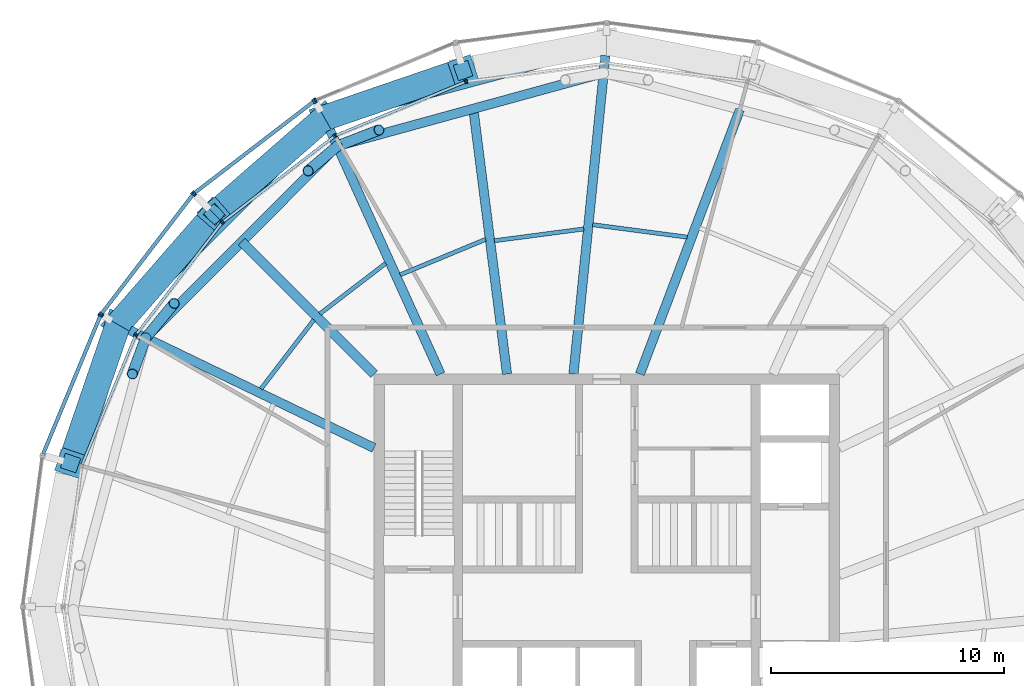
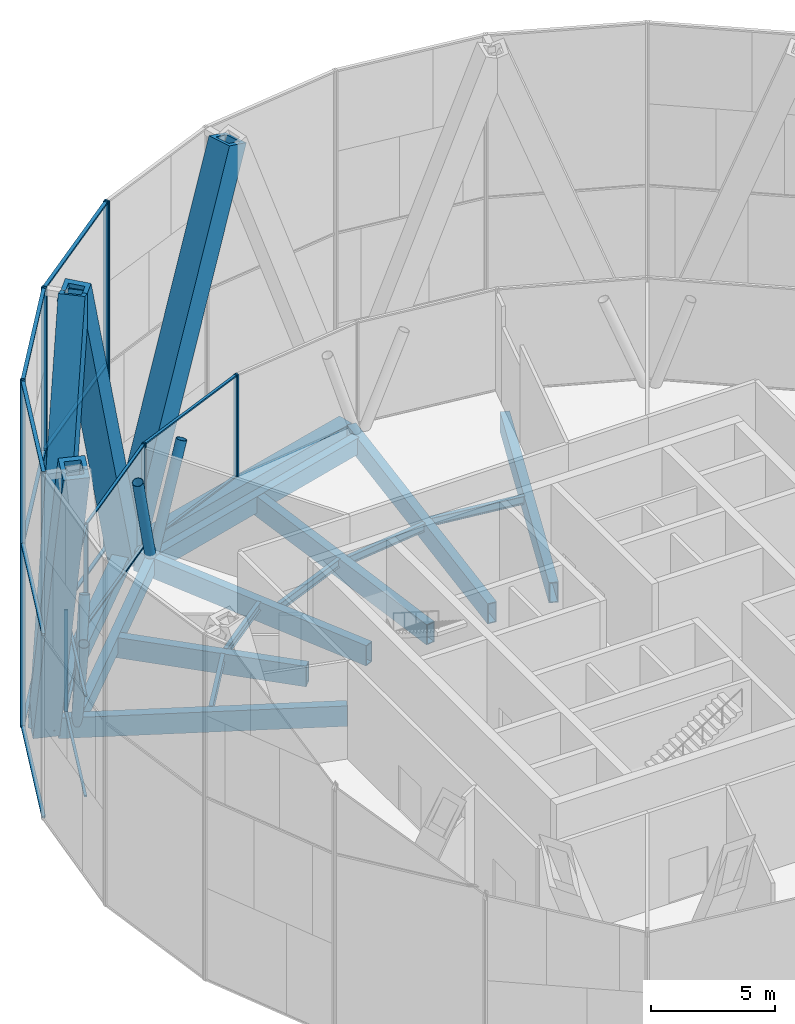
# One storey, part 6 of 15: 39 members, 15 beams, 9 elements without a shape of their own.
"""IFC4 building model written with IfcOpenShell, lengths in metres."""

import ifcopenshell
import ifcopenshell.guid

model = None  # the IFC model being written
_history = None  # IfcOwnerHistory: only IFC2X3 demands one
_inside = {}  # id of a spatial element -> (the spatial element, [elements in it])
_under = {}  # id of a project, library or spatial element -> (it, [spatial elements below it])
_declared = {}  # id of a project -> (the project, [libraries it declares])
_typed = {}  # id of a type object -> (the type object, [elements of that type])
_made_of = {}  # id of a material, layer set ... -> (it, [elements and type objects made of it])


def new_model(schema):
    """Start an empty IFC model of exactly this schema.

    Asked for "IFC4X3", IfcOpenShell would pick the latest addendum, in which some entities
    have other attributes; the version numbers below select the first issue.
    IFC2X3 requires an IfcOwnerHistory on every rooted entity: one is made here for all.
    """
    global model, _history
    if schema == "IFC4X3":
        model = ifcopenshell.file(schema_version=(4, 3, 0, 0))
    else:
        model = ifcopenshell.file(schema=schema)
    _inside.clear()
    _under.clear()
    _declared.clear()
    _typed.clear()
    _made_of.clear()
    _history = None
    if model.schema == "IFC2X3":
        org = make("IfcOrganization", Name="unknown")
        user = make(
            "IfcPersonAndOrganization",
            ThePerson=make("IfcPerson", FamilyName="unknown"),
            TheOrganization=org,
        )
        app = make(
            "IfcApplication",
            ApplicationDeveloper=org,
            Version="unknown",
            ApplicationFullName="unknown",
            ApplicationIdentifier="unknown",
        )
        _history = make(
            "IfcOwnerHistory",
            OwningUser=user,
            OwningApplication=app,
            ChangeAction="ADDED",
            CreationDate=0,
        )
    return model


def make(cls, **values):
    """One entity of the class cls with the attributes given. An attribute that is None is left unset."""
    return model.create_entity(
        cls, **{name: value for name, value in values.items() if value is not None}
    )


def rooted(cls, **values):
    """An entity with a GlobalId (a new one), such as an element, a storey or a relation."""
    return make(cls, GlobalId=ifcopenshell.guid.new(), OwnerHistory=_history, **values)


def si_unit(unit_type, name, prefix=None):
    """IfcSIUnit, for example si_unit("LENGTHUNIT", "METRE", prefix="MILLI")."""
    return make("IfcSIUnit", UnitType=unit_type, Prefix=prefix, Name=name)


def assignment(units):
    """IfcUnitAssignment: the units of a project."""
    return None if units is None else make("IfcUnitAssignment", Units=units)


def point(xyz):
    """IfcCartesianPoint."""
    return None if xyz is None else make("IfcCartesianPoint", Coordinates=xyz)


def direction(xyz):
    """IfcDirection."""
    return None if xyz is None else make("IfcDirection", DirectionRatios=xyz)


def frame(location, z_axis=None, x_axis=None):
    """IfcAxis2Placement3D, a coordinate frame: its origin and axes. An axis left out is left unset."""
    return make(
        "IfcAxis2Placement3D",
        Location=point(location),
        Axis=direction(z_axis),
        RefDirection=direction(x_axis),
    )


def frame_2d(location, x_axis=None):
    """IfcAxis2Placement2D, a coordinate frame in the plane: its origin and x axis."""
    return make(
        "IfcAxis2Placement2D", Location=point(location), RefDirection=direction(x_axis)
    )


def origin():
    """The frame at (0, 0, 0) with its axes left unset."""
    return frame((0.0, 0.0, 0.0))


def origin_2d():
    """The frame at (0, 0) in the plane with its x axis left unset."""
    return frame_2d((0.0, 0.0))


def place(relative_to, where):
    """IfcLocalPlacement: puts the frame where relative to a parent placement (None: the world)."""
    return make(
        "IfcLocalPlacement", PlacementRelTo=relative_to, RelativePlacement=where
    )


def context(
    kind, dimensions, precision=None, world=None, true_north=None, identifier=None
):
    """IfcGeometricRepresentationContext, for example the 3D "Model" context."""
    return make(
        "IfcGeometricRepresentationContext",
        ContextIdentifier=identifier,
        ContextType=kind,
        CoordinateSpaceDimension=dimensions,
        Precision=precision,
        WorldCoordinateSystem=world,
        TrueNorth=true_north,
    )


def subcontext(parent, identifier, kind, view, scale=None):
    """IfcGeometricRepresentationSubContext, for example "Body" below "Model"."""
    return make(
        "IfcGeometricRepresentationSubContext",
        ContextIdentifier=identifier,
        ContextType=kind,
        ParentContext=parent,
        TargetScale=scale,
        TargetView=view,
    )


def project(units=None, contexts=None):
    """IfcProject with its units and contexts."""
    return rooted(
        "IfcProject",
        Name="project",
        RepresentationContexts=contexts,
        UnitsInContext=assignment(units),
    )


def spatial(cls, under=None, at=None, **own):
    """A site, building, storey or space (cls), placed at a placement, below another one or the project."""
    s = rooted(cls, ObjectPlacement=at, **own)
    if under is not None:
        _under.setdefault(under.id(), (under, []))[1].append(s)
    return s


def profile(cls, at=None, kind="AREA", **sizes):
    """A parametric profile (cls). Its sizes go by their IFC names, for example OverallWidth=200.0."""
    return make(cls, ProfileType=kind, Position=at, **sizes)


def rectangle(**sizes):
    """IfcRectangleProfileDef."""
    return profile("IfcRectangleProfileDef", **sizes)


def hollow_rectangle(**sizes):
    """IfcRectangleHollowProfileDef."""
    return profile("IfcRectangleHollowProfileDef", **sizes)


def hollow_circle(**sizes):
    """IfcCircleHollowProfileDef."""
    return profile("IfcCircleHollowProfileDef", **sizes)


def i_section(**sizes):
    """IfcIShapeProfileDef."""
    return profile("IfcIShapeProfileDef", **sizes)


def extrude(swept, where, along, depth):
    """IfcExtrudedAreaSolid: the profile swept, set in the frame where, extruded along a direction by depth."""
    return make(
        "IfcExtrudedAreaSolid",
        SweptArea=swept,
        Position=where,
        ExtrudedDirection=direction(along),
        Depth=depth,
    )


def shape(context_of_items, identifier, shape_type, items):
    """IfcShapeRepresentation: the items that make up one representation, for example the "Body"."""
    return make(
        "IfcShapeRepresentation",
        ContextOfItems=context_of_items,
        RepresentationIdentifier=identifier,
        RepresentationType=shape_type,
        Items=items,
    )


def material(Name=None, Category=None):
    """IfcMaterial."""
    return make("IfcMaterial", Name=Name, Category=Category)


def material_profile(
    of_material, cross_section, Name=None, Category=None, Priority=None
):
    """IfcMaterialProfile: a cross section and its material."""
    return make(
        "IfcMaterialProfile",
        Name=Name,
        Material=of_material,
        Profile=cross_section,
        Priority=Priority,
        Category=Category,
    )


def profile_set(profiles, Name=None, composite=None):
    """IfcMaterialProfileSet."""
    return make(
        "IfcMaterialProfileSet",
        Name=Name,
        MaterialProfiles=profiles,
        CompositeProfile=composite,
    )


def made_of(thing, what):
    """Note that an element or type object is made of a material, layer set ...; save() writes the relation."""
    if what is not None:
        _made_of.setdefault(what.id(), (what, []))[1].append(thing)
    return thing


def type_object(cls, material=None, **own):
    """A type object (cls), such as IfcWallType, which elements share."""
    return made_of(rooted(cls, **own), material)


def element(
    cls,
    number,
    at=None,
    inside=None,
    cuts=None,
    type_object=None,
    material=None,
    context=None,
    identifier="Body",
    shape_type=None,
    held_by="IfcProductDefinitionShape",
    body=None,
    shapes=None,
    **own,
):
    """One element of the class cls, such as IfcWall. Its Tag is "e" and its number.

    at: its placement. inside: the storey or other place that contains it. cuts: it is an
    opening in that element (IfcRelVoidsElement). A single representation is given by context,
    identifier, shape_type and body (its items); several are given by shapes. held_by: the class
    of the entity that holds the representations. save() writes the other relations.
    """
    e = rooted(cls, Tag="e%d" % number, ObjectPlacement=at, **own)
    if body is not None:
        shapes = [shape(context, identifier, shape_type, body)]
    if shapes is not None:
        e.Representation = make(held_by, Representations=shapes)
    if inside is not None:
        _inside.setdefault(inside.id(), (inside, []))[1].append(e)
    if cuts is not None:
        rooted(
            "IfcRelVoidsElement", RelatingBuildingElement=cuts, RelatedOpeningElement=e
        )
    if type_object is not None:
        _typed.setdefault(type_object.id(), (type_object, []))[1].append(e)
    return made_of(e, material)


def aggregate(whole, parts):
    """IfcRelAggregates: a whole, such as a stair, and the parts it consists of."""
    return rooted("IfcRelAggregates", RelatingObject=whole, RelatedObjects=parts)


def save(model, path):
    """Write the relations noted so far, then the file.

    IfcRelAggregates (storeys below a building ...), IfcRelContainedInSpatialStructure (elements
    in a storey), IfcRelDefinesByType, IfcRelAssociatesMaterial and IfcRelDeclares: one each for
    every whole, place, type object, material and project.
    """
    for whole, parts in _under.values():
        aggregate(whole, parts)
    for where, things in _inside.values():
        rooted(
            "IfcRelContainedInSpatialStructure",
            RelatedElements=things,
            RelatingStructure=where,
        )
    for kind, things in _typed.values():
        rooted("IfcRelDefinesByType", RelatedObjects=things, RelatingType=kind)
    for what, things in _made_of.values():
        rooted("IfcRelAssociatesMaterial", RelatedObjects=things, RelatingMaterial=what)
    for by, libraries in _declared.values():
        rooted("IfcRelDeclares", RelatingContext=by, RelatedDefinitions=libraries)
    model.write(path)


model = new_model("IFC4")

# Units and contexts
model_context = context("Model", 3, precision=1e-05, world=origin(), true_north=direction((0.0, 1.0)))
body_context = subcontext(model_context, "Body", "Model", "MODEL_VIEW")
ifc_project = project(units=[si_unit("LENGTHUNIT", "METRE"), si_unit("AREAUNIT", "SQUARE_METRE"), si_unit("VOLUMEUNIT", "CUBIC_METRE"), si_unit("PLANEANGLEUNIT", "RADIAN"), si_unit("MASSUNIT", "GRAM", prefix="KILO")], contexts=[model_context])

# Site, building, storey
site_placement = place(None, origin())
site = spatial("IfcSite", under=ifc_project, at=site_placement, CompositionType="ELEMENT")
building_placement = place(site_placement, origin())
building = spatial("IfcBuilding", under=site, at=building_placement, Name="Golbaran Civic Tower", CompositionType="ELEMENT")
storey_placement = place(building_placement, frame((0.0, 0.0, 215.0)))
storey = spatial("IfcBuildingStorey", under=building, at=storey_placement, Name="L52", CompositionType="ELEMENT", Elevation=215.0)

# Members
ifc_material_1 = material(Name="Steel S355", Category="steel")
ifc_material_profile_1 = material_profile(ifc_material_1, hollow_circle(Radius=0.228515625, WallThickness=0.02001953125, at=origin_2d()), Name="CHS 457.0x20")
ifc_profile_set_1 = profile_set([ifc_material_profile_1], Name="Steel S355")
member_type_1 = type_object("IfcMemberType", Name="BELT TRUSS DIAGONAL CHS 457.0x20", PredefinedType="BRACE", material=ifc_profile_set_1)
member_1_placement = place(storey_placement, frame((-11.580322265625, 19.796875, -0.60009765625), z_axis=(-0.237997322439, -0.202374258001, 0.949948385024), x_axis=(0.647790633231, -0.76181841373, 0.0)))
element("IfcMember", 1, at=member_1_placement, inside=storey, type_object=member_type_1, Name="Belt truss diagonal 120.00R L52", PredefinedType="BRACE", context=body_context, shape_type="SweptSolid", body=[
    extrude(hollow_circle(Radius=0.228515625, WallThickness=0.02001953125, at=origin_2d()), origin(), (0.0, 0.0, 1.0), 5.263427734375),
])
member_2_placement = place(storey_placement, frame((-11.580322265625, 19.796875, -0.60009765625), z_axis=(0.334288189881, 0.128873955106, 0.933618182022), x_axis=(-0.359712247931, 0.933063287612, 0.0)))
element("IfcMember", 2, at=member_2_placement, inside=storey, type_object=member_type_1, Name="Belt truss diagonal 120.00L L52", PredefinedType="BRACE", context=body_context, shape_type="SweptSolid", body=[
    extrude(hollow_circle(Radius=0.228515625, WallThickness=0.02001953125, at=origin_2d()), origin(), (0.0, 0.0, 1.0), 5.35546875),
])
member_3_placement = place(storey_placement, frame((-19.81298828125, 11.552734375, -0.60009765625), z_axis=(-0.108443912345, -0.294361008754, 0.949521729294), x_axis=(0.938348163363, -0.345691660751, 0.0)))
element("IfcMember", 3, at=member_3_placement, inside=storey, type_object=member_type_1, Name="Belt truss diagonal 150.00R L52", PredefinedType="BRACE", context=body_context, shape_type="SweptSolid", body=[
    extrude(hollow_circle(Radius=0.228515625, WallThickness=0.02001953125, at=origin_2d()), origin(), (0.0, 0.0, 1.0), 5.265869140625),
])
member_4_placement = place(storey_placement, frame((-19.81298828125, 11.552734375, -0.60009765625), z_axis=(0.228116831888, 0.276885065679, 0.933433110305), x_axis=(-0.77180186456, 0.635863099938, 0.0)))
element("IfcMember", 4, at=member_4_placement, inside=storey, type_object=member_type_1, Name="Belt truss diagonal 150.00L L52", PredefinedType="BRACE", context=body_context, shape_type="SweptSolid", body=[
    extrude(hollow_circle(Radius=0.228515625, WallThickness=0.02001953125, at=origin_2d()), origin(), (0.0, 0.0, 1.0), 5.356689453125),
])
ifc_material_profile_2 = material_profile(ifc_material_1, hollow_rectangle(XDim=1.10009765625, YDim=1.10009765625, WallThickness=0.199951171875, at=origin_2d()), Name="BOX 1100x1100x200")
ifc_profile_set_2 = profile_set([ifc_material_profile_2], Name="Steel S355")
member_type_2 = type_object("IfcMemberType", Name="DIAGRID DIAGONAL BOX 1100x1100x200", PredefinedType="BRACE", material=ifc_profile_set_2)
for number, where, z_axis, x_axis, name in (
    (5, (-12.1279296875, 21.00634765625, -0.7099609375), (-0.261485476318, -0.228299784139, 0.937819041306), (0.657688403763, -0.753290092564, 0.0), "Diagonal D12-04R L52-L56"),
    (6, (-12.1279296875, 21.00634765625, -0.7099609375), (0.328449877464, 0.112311622101, 0.937820226661), (-0.323551479534, 0.94621056858, 0.0), "Diagonal D12-04L L52-L56"),
    (7, (-21.00634765625, 12.1279296875, -0.7099609375), (-0.112311622101, -0.328449877464, 0.937820226661), (0.94621056858, -0.323551479534, 0.0), "Diagonal D12-05R L52-L56"),
    (8, (-21.00634765625, 12.1279296875, -0.7099609375), (0.228299784139, 0.261485476318, 0.937819041306), (-0.753290092564, 0.657688403763, 0.0), "Diagonal D12-05L L52-L56"),
):
    element("IfcMember", number, at=place(storey_placement, frame(where, z_axis=z_axis, x_axis=x_axis)), inside=storey, type_object=member_type_2, Name=name, PredefinedType="BRACE", context=body_context, shape_type="SweptSolid", body=[
        extrude(hollow_rectangle(XDim=1.10009765625, YDim=1.10009765625, WallThickness=0.199951171875, at=origin_2d()), origin(), (0.0, 0.0, 1.0), 18.127197265625),
    ])

# Beams
ifc_material_profile_3 = material_profile(ifc_material_1, hollow_rectangle(XDim=0.699951171875, YDim=0.699951171875, WallThickness=0.080078125, at=origin_2d()), Name="BOX 700x700x80")
ifc_profile_set_3 = profile_set([ifc_material_profile_3], Name="Steel S355")
beam_type_1 = type_object("IfcBeamType", Name="DIAGRID RING TIE BOX 700x700x80", PredefinedType="BEAM", material=ifc_profile_set_3)
beam_1_placement = place(storey_placement, frame((0.0, 24.256103515625, -0.7099609375), z_axis=(-0.965924096113, -0.258825502121, 0.0), x_axis=(0.258825502121, -0.965924096113, 0.0)))
element("IfcBeam", 9, at=beam_1_placement, inside=storey, type_object=beam_type_1, Name="Ring tie 90.00 L52", PredefinedType="BEAM", context=body_context, shape_type="SweptSolid", body=[
    extrude(hollow_rectangle(XDim=0.699951171875, YDim=0.699951171875, WallThickness=0.080078125, at=origin_2d()), origin(), (0.0, 0.0, 1.0), 12.5556640625),
])
beam_2_placement = place(storey_placement, frame((-12.1279296875, 21.00634765625, -0.7099609375), z_axis=(-0.707106781187, -0.707106781187, 0.0), x_axis=(0.707106781187, -0.707106781187, 0.0)))
element("IfcBeam", 10, at=beam_2_placement, inside=storey, type_object=beam_type_1, Name="Ring tie 120.00 L52", PredefinedType="BEAM", context=body_context, shape_type="SweptSolid", body=[
    extrude(hollow_rectangle(XDim=0.699951171875, YDim=0.699951171875, WallThickness=0.080078125, at=origin_2d()), origin(), (0.0, 0.0, 1.0), 12.555908203125),
])
ifc_material_profile_4 = material_profile(ifc_material_1, hollow_rectangle(XDim=0.39990234375, YDim=0.800048828125, WallThickness=0.0400390625, at=origin_2d()), Name="BOX 800x400x40")
ifc_profile_set_4 = profile_set([ifc_material_profile_4], Name="Steel S355")
beam_type_2 = type_object("IfcBeamType", Name="EDGE BEAM BOX 800x400x40", PredefinedType="BEAM", material=ifc_profile_set_4)
beam_3_placement = place(storey_placement, frame((-0.318359375, 22.8837890625, -0.60009765625), z_axis=(-0.964430254718, -0.264337443023, 0.0), x_axis=(0.264337443023, -0.964430254718, 0.0)))
element("IfcBeam", 11, at=beam_3_placement, inside=storey, type_object=beam_type_2, Name="Edge beam 90.00 L52", PredefinedType="BEAM", context=body_context, shape_type="SweptSolid", body=[
    extrude(hollow_rectangle(XDim=0.39990234375, YDim=0.800048828125, WallThickness=0.0400390625, at=origin_2d()), origin(), (0.0, 0.0, 1.0), 11.4951171875),
])
beam_4_placement = place(storey_placement, frame((-11.716064453125, 19.660888671875, -0.60009765625), z_axis=(-0.706608276998, -0.707604934182, 0.0), x_axis=(0.707604934182, -0.706608276998, 0.0)))
element("IfcBeam", 12, at=beam_4_placement, inside=storey, type_object=beam_type_2, Name="Edge beam 120.00 L52", PredefinedType="BEAM", context=body_context, shape_type="SweptSolid", body=[
    extrude(hollow_rectangle(XDim=0.39990234375, YDim=0.800048828125, WallThickness=0.0400390625, at=origin_2d()), origin(), (0.0, 0.0, 1.0), 11.26806640625),
])
ifc_material_profile_5 = material_profile(ifc_material_1, i_section(OverallWidth=0.179931640625, OverallDepth=0.39990234375, WebThickness=0.008544921875, FlangeThickness=0.013427734375, FilletRadius=0.02099609375, at=origin_2d()), Name="IPE 400")
ifc_profile_set_5 = profile_set([ifc_material_profile_5], Name="Steel S355")
beam_type_3 = type_object("IfcBeamType", Name="FLOOR INFILL BEAM IPE 400", PredefinedType="BEAM", material=ifc_profile_set_5)
beam_5_placement = place(storey_placement, frame((3.459716796875, 15.88232421875, -0.39990234375), z_axis=(-0.991441925655, 0.13054848928, 0.0), x_axis=(-0.13054848928, -0.991441925655, 0.0)))
element("IfcBeam", 13, at=beam_5_placement, inside=storey, type_object=beam_type_3, Name="Infill beam 82.50 L52", PredefinedType="BEAM", context=body_context, shape_type="SweptSolid", body=[
    extrude(i_section(OverallWidth=0.179931640625, OverallDepth=0.39990234375, WebThickness=0.008544921875, FlangeThickness=0.013427734375, FilletRadius=0.02099609375, at=origin_2d()), origin(), (0.0, 0.0, 1.0), 4.099365234375),
])
beam_6_placement = place(storey_placement, frame((-0.984619140625, 16.234619140625, -0.39990234375), z_axis=(-0.991442514093, -0.130544020353, 0.0), x_axis=(0.130544020353, -0.991442514093, 0.0)))
element("IfcBeam", 14, at=beam_6_placement, inside=storey, type_object=beam_type_3, Name="Infill beam 97.50 L52", PredefinedType="BEAM", context=body_context, shape_type="SweptSolid", body=[
    extrude(i_section(OverallWidth=0.179931640625, OverallDepth=0.39990234375, WebThickness=0.008544921875, FlangeThickness=0.013427734375, FilletRadius=0.02099609375, at=origin_2d()), origin(), (0.0, 0.0, 1.0), 3.880615234375),
])
beam_7_placement = place(storey_placement, frame((-5.202392578125, 15.787109375, -0.39990234375), z_axis=(-0.923886657851, -0.382666229821, 0.0), x_axis=(0.382666229821, -0.923886657851, 0.0)))
element("IfcBeam", 15, at=beam_7_placement, inside=storey, type_object=beam_type_3, Name="Infill beam 112.50 L52", PredefinedType="BEAM", context=body_context, shape_type="SweptSolid", body=[
    extrude(i_section(OverallWidth=0.179931640625, OverallDepth=0.39990234375, WebThickness=0.008544921875, FlangeThickness=0.013427734375, FilletRadius=0.02099609375, at=origin_2d()), origin(), (0.0, 0.0, 1.0), 3.977294921875),
])
beam_8_placement = place(storey_placement, frame((-9.496337890625, 14.759521484375, -0.39990234375), z_axis=(-0.79335768671, -0.608755764604, 0.0), x_axis=(0.608755764604, -0.79335768671, 0.0)))
element("IfcBeam", 16, at=beam_8_placement, inside=storey, type_object=beam_type_3, Name="Infill beam 127.50 L52", PredefinedType="BEAM", context=body_context, shape_type="SweptSolid", body=[
    extrude(i_section(OverallWidth=0.179931640625, OverallDepth=0.39990234375, WebThickness=0.008544921875, FlangeThickness=0.013427734375, FilletRadius=0.02099609375, at=origin_2d()), origin(), (0.0, 0.0, 1.0), 3.572021484375),
])
beam_9_placement = place(storey_placement, frame((-12.58349609375, 12.328857421875, -0.39990234375), z_axis=(-0.608753770436, -0.793359216862, 0.0), x_axis=(0.793359216862, -0.608753770436, 0.0)))
element("IfcBeam", 17, at=beam_9_placement, inside=storey, type_object=beam_type_3, Name="Infill beam 142.50 L52", PredefinedType="BEAM", context=body_context, shape_type="SweptSolid", body=[
    extrude(i_section(OverallWidth=0.179931640625, OverallDepth=0.39990234375, WebThickness=0.008544921875, FlangeThickness=0.013427734375, FilletRadius=0.02099609375, at=origin_2d()), origin(), (0.0, 0.0, 1.0), 3.7373046875),
])

# Curtain wall, member
ifc_material_2 = material(Name="Aluminium and glass", Category="aluminium")
curtain_wall_type_1 = type_object("IfcCurtainWallType", Name="OUTER SKIN TERRACOTTA SCREEN", PredefinedType="NOTDEFINED", material=ifc_material_2)
curtain_wall_1_placement = place(storey_placement, origin())
curtain_wall_1 = element("IfcCurtainWall", 18, at=curtain_wall_1_placement, inside=storey, type_object=curtain_wall_type_1, Name="Outer skin L52 facet 8 CW3", ObjectType="OUTER SKIN", PredefinedType="USERDEFINED")
ifc_material_3 = material(Name="Aluminium", Category="aluminium")
ifc_material_profile_6 = material_profile(ifc_material_3, rectangle(XDim=0.219970703125, YDim=0.080078125, at=origin_2d()), Name="OUTER SKIN TERRACOTTA SCREEN MULLION")
ifc_profile_set_6 = profile_set([ifc_material_profile_6], Name="Aluminium")
member_type_3 = type_object("IfcMemberType", Name="OUTER SKIN TERRACOTTA SCREEN MULLION", PredefinedType="MULLION", material=ifc_profile_set_6)
member_5_placement = place(storey_placement, frame((-12.51611328125, 21.7578125, -0.7099609375), z_axis=(0.0, 0.0, 1.0), x_axis=(0.38268343243, -0.923879532485, 0.0)))
member_5 = element("IfcMember", 19, at=member_5_placement, type_object=member_type_3, Name="CW3 mullion 2", PredefinedType="MULLION", context=body_context, shape_type="SweptSolid", body=[
    extrude(rectangle(XDim=0.219970703125, YDim=0.080078125, at=origin_2d()), origin(), (0.0, 0.0, 1.0), 17.0),
])
aggregate(curtain_wall_1, [member_5])

# Curtain wall, members
curtain_wall_2_placement = place(storey_placement, origin())
curtain_wall_2 = element("IfcCurtainWall", 20, at=curtain_wall_2_placement, inside=storey, type_object=curtain_wall_type_1, Name="Outer skin L52 facet 9 CW3", ObjectType="OUTER SKIN", PredefinedType="USERDEFINED")
member_6_placement = place(storey_placement, frame((-12.584716796875, 21.718017578125, -0.7099609375), z_axis=(0.0, 0.0, 1.0), x_axis=(0.60876142905, -0.793353340259, 0.0)))
member_6 = element("IfcMember", 21, at=member_6_placement, type_object=member_type_3, Name="CW3 mullion 1", PredefinedType="MULLION", context=body_context, shape_type="SweptSolid", body=[
    extrude(rectangle(XDim=0.219970703125, YDim=0.080078125, at=origin_2d()), origin(), (0.0, 0.0, 1.0), 17.0),
])
member_7_placement = place(storey_placement, frame((-17.720947265625, 17.77685546875, -0.7099609375), z_axis=(0.0, 0.0, 1.0), x_axis=(0.60876142905, -0.793353340259, 0.0)))
member_7 = element("IfcMember", 22, at=member_7_placement, type_object=member_type_3, Name="CW3 mullion 2", PredefinedType="MULLION", context=body_context, shape_type="SweptSolid", body=[
    extrude(rectangle(XDim=0.219970703125, YDim=0.080078125, at=origin_2d()), origin(), (0.0, 0.0, 1.0), 17.0),
])

curtain_wall_3_placement = place(storey_placement, origin())
curtain_wall_3 = element("IfcCurtainWall", 23, at=curtain_wall_3_placement, inside=storey, type_object=curtain_wall_type_1, Name="Outer skin L52 facet 10 CW3", ObjectType="OUTER SKIN", PredefinedType="USERDEFINED")
member_8_placement = place(storey_placement, frame((-17.77685546875, 17.720947265625, -0.7099609375), z_axis=(0.0, 0.0, 1.0), x_axis=(0.793353340259, -0.60876142905, 0.0)))
member_8 = element("IfcMember", 24, at=member_8_placement, type_object=member_type_3, Name="CW3 mullion 1", PredefinedType="MULLION", context=body_context, shape_type="SweptSolid", body=[
    extrude(rectangle(XDim=0.219970703125, YDim=0.080078125, at=origin_2d()), origin(), (0.0, 0.0, 1.0), 17.0),
])
member_9_placement = place(storey_placement, frame((-21.718017578125, 12.584716796875, -0.7099609375), z_axis=(0.0, 0.0, 1.0), x_axis=(0.793353340259, -0.60876142905, 0.0)))
member_9 = element("IfcMember", 25, at=member_9_placement, type_object=member_type_3, Name="CW3 mullion 2", PredefinedType="MULLION", context=body_context, shape_type="SweptSolid", body=[
    extrude(rectangle(XDim=0.219970703125, YDim=0.080078125, at=origin_2d()), origin(), (0.0, 0.0, 1.0), 17.0),
])

# Curtain wall, member
curtain_wall_4_placement = place(storey_placement, origin())
curtain_wall_4 = element("IfcCurtainWall", 26, at=curtain_wall_4_placement, inside=storey, type_object=curtain_wall_type_1, Name="Outer skin L52 facet 11 CW3", ObjectType="OUTER SKIN", PredefinedType="USERDEFINED")
member_10_placement = place(storey_placement, frame((-21.7578125, 12.51611328125, -0.7099609375), z_axis=(0.0, 0.0, 1.0), x_axis=(0.923879532485, -0.38268343243, 0.0)))
member_10 = element("IfcMember", 27, at=member_10_placement, type_object=member_type_3, Name="CW3 mullion 1", PredefinedType="MULLION", context=body_context, shape_type="SweptSolid", body=[
    extrude(rectangle(XDim=0.219970703125, YDim=0.080078125, at=origin_2d()), origin(), (0.0, 0.0, 1.0), 17.0),
])

# Member
ifc_material_profile_7 = material_profile(ifc_material_3, rectangle(XDim=0.159912109375, YDim=0.080078125, at=origin_2d()), Name="OUTER SKIN TERRACOTTA SCREEN TRANSOM")
ifc_profile_set_7 = profile_set([ifc_material_profile_7], Name="Aluminium")
member_type_4 = type_object("IfcMemberType", Name="OUTER SKIN TERRACOTTA SCREEN TRANSOM", PredefinedType="USERDEFINED", material=ifc_profile_set_7)
member_11_placement = place(storey_placement, frame((-12.616455078125, 21.69384765625, -0.669921875), z_axis=(-0.793344491665, -0.608772960589, 0.0), x_axis=(0.608772960589, -0.793344491665, 0.0)))
member_11 = element("IfcMember", 28, at=member_11_placement, type_object=member_type_4, Name="CW3 transom 1.1", ObjectType="TRANSOM", PredefinedType="USERDEFINED", context=body_context, shape_type="SweptSolid", body=[
    extrude(rectangle(XDim=0.159912109375, YDim=0.080078125, at=origin_2d()), origin(), (0.0, 0.0, 1.0), 6.39404296875),
])

member_12_placement = place(storey_placement, frame((-12.616455078125, 21.69384765625, 8.2900390625), z_axis=(-0.793344491665, -0.608772960589, 0.0), x_axis=(0.608772960589, -0.793344491665, 0.0)))
member_12 = element("IfcMember", 29, at=member_12_placement, type_object=member_type_4, Name="CW3 transom 1.2", ObjectType="TRANSOM", PredefinedType="USERDEFINED", context=body_context, shape_type="SweptSolid", body=[
    extrude(rectangle(XDim=0.159912109375, YDim=0.080078125, at=origin_2d()), origin(), (0.0, 0.0, 1.0), 6.39404296875),
])

member_13_placement = place(storey_placement, frame((-12.616455078125, 21.69384765625, 16.25), z_axis=(-0.793344491665, -0.608772960589, 0.0), x_axis=(0.608772960589, -0.793344491665, 0.0)))
member_13 = element("IfcMember", 30, at=member_13_placement, type_object=member_type_4, Name="CW3 transom 1.3", ObjectType="TRANSOM", PredefinedType="USERDEFINED", context=body_context, shape_type="SweptSolid", body=[
    extrude(rectangle(XDim=0.159912109375, YDim=0.080078125, at=origin_2d()), origin(), (0.0, 0.0, 1.0), 6.39404296875),
])

aggregate(curtain_wall_2, [member_6, member_7, member_11, member_12, member_13])

member_14_placement = place(storey_placement, frame((-17.80126953125, 17.689208984375, -0.669921875), z_axis=(-0.608772960589, -0.793344491665, 0.0), x_axis=(0.793344491665, -0.608772960589, 0.0)))
member_14 = element("IfcMember", 31, at=member_14_placement, type_object=member_type_4, Name="CW3 transom 1.1", ObjectType="TRANSOM", PredefinedType="USERDEFINED", context=body_context, shape_type="SweptSolid", body=[
    extrude(rectangle(XDim=0.159912109375, YDim=0.080078125, at=origin_2d()), origin(), (0.0, 0.0, 1.0), 6.39404296875),
])

member_15_placement = place(storey_placement, frame((-17.80126953125, 17.689208984375, 8.2900390625), z_axis=(-0.608772960589, -0.793344491665, 0.0), x_axis=(0.793344491665, -0.608772960589, 0.0)))
member_15 = element("IfcMember", 32, at=member_15_placement, type_object=member_type_4, Name="CW3 transom 1.2", ObjectType="TRANSOM", PredefinedType="USERDEFINED", context=body_context, shape_type="SweptSolid", body=[
    extrude(rectangle(XDim=0.159912109375, YDim=0.080078125, at=origin_2d()), origin(), (0.0, 0.0, 1.0), 6.39404296875),
])

member_16_placement = place(storey_placement, frame((-17.80126953125, 17.689208984375, 16.25), z_axis=(-0.608772960589, -0.793344491665, 0.0), x_axis=(0.793344491665, -0.608772960589, 0.0)))
member_16 = element("IfcMember", 33, at=member_16_placement, type_object=member_type_4, Name="CW3 transom 1.3", ObjectType="TRANSOM", PredefinedType="USERDEFINED", context=body_context, shape_type="SweptSolid", body=[
    extrude(rectangle(XDim=0.159912109375, YDim=0.080078125, at=origin_2d()), origin(), (0.0, 0.0, 1.0), 6.39404296875),
])

aggregate(curtain_wall_3, [member_8, member_9, member_14, member_15, member_16])

member_17_placement = place(storey_placement, frame((-21.77294921875, 12.47900390625, -0.669921875), z_axis=(-0.382705875896, -0.923870235777, 0.0), x_axis=(0.923870235777, -0.382705875896, 0.0)))
member_17 = element("IfcMember", 34, at=member_17_placement, type_object=member_type_4, Name="CW3 transom 1.1", ObjectType="TRANSOM", PredefinedType="USERDEFINED", context=body_context, shape_type="SweptSolid", body=[
    extrude(rectangle(XDim=0.159912109375, YDim=0.080078125, at=origin_2d()), origin(), (0.0, 0.0, 1.0), 6.39404296875),
])

member_18_placement = place(storey_placement, frame((-21.77294921875, 12.47900390625, 8.2900390625), z_axis=(-0.382705875896, -0.923870235777, 0.0), x_axis=(0.923870235777, -0.382705875896, 0.0)))
member_18 = element("IfcMember", 35, at=member_18_placement, type_object=member_type_4, Name="CW3 transom 1.2", ObjectType="TRANSOM", PredefinedType="USERDEFINED", context=body_context, shape_type="SweptSolid", body=[
    extrude(rectangle(XDim=0.159912109375, YDim=0.080078125, at=origin_2d()), origin(), (0.0, 0.0, 1.0), 6.39404296875),
])

member_19_placement = place(storey_placement, frame((-21.77294921875, 12.47900390625, 16.25), z_axis=(-0.382705875896, -0.923870235777, 0.0), x_axis=(0.923870235777, -0.382705875896, 0.0)))
member_19 = element("IfcMember", 36, at=member_19_placement, type_object=member_type_4, Name="CW3 transom 1.3", ObjectType="TRANSOM", PredefinedType="USERDEFINED", context=body_context, shape_type="SweptSolid", body=[
    extrude(rectangle(XDim=0.159912109375, YDim=0.080078125, at=origin_2d()), origin(), (0.0, 0.0, 1.0), 6.39404296875),
])

aggregate(curtain_wall_4, [member_10, member_17, member_18, member_19])

# Curtain wall, member
curtain_wall_type_2 = type_object("IfcCurtainWallType", Name="PLANT FLOOR LOUVRE WALL", PredefinedType="NOTDEFINED", material=ifc_material_2)
curtain_wall_5_placement = place(storey_placement, origin())
curtain_wall_5 = element("IfcCurtainWall", 37, at=curtain_wall_5_placement, inside=storey, type_object=curtain_wall_type_2, Name="Inner skin L52 facet 7 CW6", ObjectType="PLANT LOUVRE WALL", PredefinedType="USERDEFINED")
ifc_material_profile_8 = material_profile(ifc_material_3, rectangle(XDim=0.159912109375, YDim=0.070068359375, at=origin_2d()), Name="PLANT FLOOR LOUVRE WALL MULLION")
ifc_profile_set_8 = profile_set([ifc_material_profile_8], Name="Aluminium")
member_type_5 = type_object("IfcMemberType", Name="PLANT FLOOR LOUVRE WALL MULLION", PredefinedType="MULLION", material=ifc_profile_set_8)
member_20_placement = place(storey_placement, frame((-6.0126953125, 22.573486328125, 0.0), z_axis=(0.0, 0.0, 1.0), x_axis=(0.130526192255, -0.991444861369, 0.0)))
member_20 = element("IfcMember", 38, at=member_20_placement, type_object=member_type_5, Name="CW6 mullion 2", PredefinedType="MULLION", context=body_context, shape_type="SweptSolid", body=[
    extrude(rectangle(XDim=0.159912109375, YDim=0.070068359375, at=origin_2d()), origin(), (0.0, 0.0, 1.0), 5.0),
])
aggregate(curtain_wall_5, [member_20])

# Curtain wall, members
curtain_wall_6_placement = place(storey_placement, origin())
curtain_wall_6 = element("IfcCurtainWall", 39, at=curtain_wall_6_placement, inside=storey, type_object=curtain_wall_type_2, Name="Inner skin L52 facet 8 CW6", ObjectType="PLANT LOUVRE WALL", PredefinedType="USERDEFINED")
member_21_placement = place(storey_placement, frame((-6.07958984375, 22.555419921875, 0.0), z_axis=(0.0, 0.0, 1.0), x_axis=(0.382683432397, -0.923879532498, 0.0)))
member_21 = element("IfcMember", 40, at=member_21_placement, type_object=member_type_5, Name="CW6 mullion 1", PredefinedType="MULLION", context=body_context, shape_type="SweptSolid", body=[
    extrude(rectangle(XDim=0.159912109375, YDim=0.070068359375, at=origin_2d()), origin(), (0.0, 0.0, 1.0), 5.0),
])
member_22_placement = place(storey_placement, frame((-11.650146484375, 20.248046875, 0.0), z_axis=(0.0, 0.0, 1.0), x_axis=(0.382683432397, -0.923879532498, 0.0)))
member_22 = element("IfcMember", 41, at=member_22_placement, type_object=member_type_5, Name="CW6 mullion 2", PredefinedType="MULLION", context=body_context, shape_type="SweptSolid", body=[
    extrude(rectangle(XDim=0.159912109375, YDim=0.070068359375, at=origin_2d()), origin(), (0.0, 0.0, 1.0), 5.0),
])

curtain_wall_7_placement = place(storey_placement, origin())
curtain_wall_7 = element("IfcCurtainWall", 42, at=curtain_wall_7_placement, inside=storey, type_object=curtain_wall_type_2, Name="Inner skin L52 facet 9 CW6", ObjectType="PLANT LOUVRE WALL", PredefinedType="USERDEFINED")
member_23_placement = place(storey_placement, frame((-11.710205078125, 20.21337890625, 0.0), z_axis=(0.0, 0.0, 1.0), x_axis=(0.608761429036, -0.79335334027, 0.0)))
member_23 = element("IfcMember", 43, at=member_23_placement, type_object=member_type_5, Name="CW6 mullion 1", PredefinedType="MULLION", context=body_context, shape_type="SweptSolid", body=[
    extrude(rectangle(XDim=0.159912109375, YDim=0.070068359375, at=origin_2d()), origin(), (0.0, 0.0, 1.0), 5.0),
])
member_24_placement = place(storey_placement, frame((-16.493896484375, 16.54296875, 0.0), z_axis=(0.0, 0.0, 1.0), x_axis=(0.608761429036, -0.79335334027, 0.0)))
member_24 = element("IfcMember", 44, at=member_24_placement, type_object=member_type_5, Name="CW6 mullion 2", PredefinedType="MULLION", context=body_context, shape_type="SweptSolid", body=[
    extrude(rectangle(XDim=0.159912109375, YDim=0.070068359375, at=origin_2d()), origin(), (0.0, 0.0, 1.0), 5.0),
])

curtain_wall_8_placement = place(storey_placement, origin())
curtain_wall_8 = element("IfcCurtainWall", 45, at=curtain_wall_8_placement, inside=storey, type_object=curtain_wall_type_2, Name="Inner skin L52 facet 10 CW6", ObjectType="PLANT LOUVRE WALL", PredefinedType="USERDEFINED")
member_25_placement = place(storey_placement, frame((-16.54296875, 16.493896484375, 0.0), z_axis=(0.0, 0.0, 1.0), x_axis=(0.79335334027, -0.608761429036, 0.0)))
member_25 = element("IfcMember", 46, at=member_25_placement, type_object=member_type_5, Name="CW6 mullion 1", PredefinedType="MULLION", context=body_context, shape_type="SweptSolid", body=[
    extrude(rectangle(XDim=0.159912109375, YDim=0.070068359375, at=origin_2d()), origin(), (0.0, 0.0, 1.0), 5.0),
])
member_26_placement = place(storey_placement, frame((-20.21337890625, 11.710205078125, 0.0), z_axis=(0.0, 0.0, 1.0), x_axis=(0.79335334027, -0.608761429036, 0.0)))
member_26 = element("IfcMember", 47, at=member_26_placement, type_object=member_type_5, Name="CW6 mullion 2", PredefinedType="MULLION", context=body_context, shape_type="SweptSolid", body=[
    extrude(rectangle(XDim=0.159912109375, YDim=0.070068359375, at=origin_2d()), origin(), (0.0, 0.0, 1.0), 5.0),
])

# Curtain wall, member
curtain_wall_9_placement = place(storey_placement, origin())
curtain_wall_9 = element("IfcCurtainWall", 48, at=curtain_wall_9_placement, inside=storey, type_object=curtain_wall_type_2, Name="Inner skin L52 facet 11 CW6", ObjectType="PLANT LOUVRE WALL", PredefinedType="USERDEFINED")
member_27_placement = place(storey_placement, frame((-20.248046875, 11.650146484375, 0.0), z_axis=(0.0, 0.0, 1.0), x_axis=(0.923879532498, -0.382683432397, 0.0)))
member_27 = element("IfcMember", 49, at=member_27_placement, type_object=member_type_5, Name="CW6 mullion 1", PredefinedType="MULLION", context=body_context, shape_type="SweptSolid", body=[
    extrude(rectangle(XDim=0.159912109375, YDim=0.070068359375, at=origin_2d()), origin(), (0.0, 0.0, 1.0), 5.0),
])

# Member
ifc_material_profile_9 = material_profile(ifc_material_3, rectangle(XDim=0.1201171875, YDim=0.070068359375, at=origin_2d()), Name="PLANT FLOOR LOUVRE WALL TRANSOM")
ifc_profile_set_9 = profile_set([ifc_material_profile_9], Name="Aluminium")
member_type_6 = type_object("IfcMemberType", Name="PLANT FLOOR LOUVRE WALL TRANSOM", PredefinedType="USERDEFINED", material=ifc_profile_set_9)
member_28_placement = place(storey_placement, frame((-6.112060546875, 22.5419921875, 0.034912109375), z_axis=(-0.923884518665, -0.382671394504, 0.0), x_axis=(0.382671394504, -0.923884518665, 0.0)))
member_28 = element("IfcMember", 50, at=member_28_placement, type_object=member_type_6, Name="CW6 transom 1.1", ObjectType="TRANSOM", PredefinedType="USERDEFINED", context=body_context, shape_type="SweptSolid", body=[
    extrude(rectangle(XDim=0.1201171875, YDim=0.070068359375, at=origin_2d()), origin(), (0.0, 0.0, 1.0), 5.95947265625),
])

member_29_placement = place(storey_placement, frame((-6.112060546875, 22.5419921875, 4.965087890625), z_axis=(-0.923884518665, -0.382671394504, 0.0), x_axis=(0.382671394504, -0.923884518665, 0.0)))
member_29 = element("IfcMember", 51, at=member_29_placement, type_object=member_type_6, Name="CW6 transom 1.2", ObjectType="TRANSOM", PredefinedType="USERDEFINED", context=body_context, shape_type="SweptSolid", body=[
    extrude(rectangle(XDim=0.1201171875, YDim=0.070068359375, at=origin_2d()), origin(), (0.0, 0.0, 1.0), 5.95947265625),
])

aggregate(curtain_wall_6, [member_21, member_22, member_28, member_29])

member_30_placement = place(storey_placement, frame((-11.738037109375, 20.192138671875, 0.034912109375), z_axis=(-0.79335441758, -0.608760025056, 0.0), x_axis=(0.608760025056, -0.79335441758, 0.0)))
member_30 = element("IfcMember", 52, at=member_30_placement, type_object=member_type_6, Name="CW6 transom 1.1", ObjectType="TRANSOM", PredefinedType="USERDEFINED", context=body_context, shape_type="SweptSolid", body=[
    extrude(rectangle(XDim=0.1201171875, YDim=0.070068359375, at=origin_2d()), origin(), (0.0, 0.0, 1.0), 5.95947265625),
])

member_31_placement = place(storey_placement, frame((-11.738037109375, 20.192138671875, 4.965087890625), z_axis=(-0.79335441758, -0.608760025056, 0.0), x_axis=(0.608760025056, -0.79335441758, 0.0)))
member_31 = element("IfcMember", 53, at=member_31_placement, type_object=member_type_6, Name="CW6 transom 1.2", ObjectType="TRANSOM", PredefinedType="USERDEFINED", context=body_context, shape_type="SweptSolid", body=[
    extrude(rectangle(XDim=0.1201171875, YDim=0.070068359375, at=origin_2d()), origin(), (0.0, 0.0, 1.0), 5.95947265625),
])

aggregate(curtain_wall_7, [member_23, member_24, member_30, member_31])

member_32_placement = place(storey_placement, frame((-16.564208984375, 16.466064453125, 0.034912109375), z_axis=(-0.608760025056, -0.79335441758, 0.0), x_axis=(0.79335441758, -0.608760025056, 0.0)))
member_32 = element("IfcMember", 54, at=member_32_placement, type_object=member_type_6, Name="CW6 transom 1.1", ObjectType="TRANSOM", PredefinedType="USERDEFINED", context=body_context, shape_type="SweptSolid", body=[
    extrude(rectangle(XDim=0.1201171875, YDim=0.070068359375, at=origin_2d()), origin(), (0.0, 0.0, 1.0), 5.95947265625),
])

member_33_placement = place(storey_placement, frame((-16.564208984375, 16.466064453125, 4.965087890625), z_axis=(-0.608760025056, -0.79335441758, 0.0), x_axis=(0.79335441758, -0.608760025056, 0.0)))
member_33 = element("IfcMember", 55, at=member_33_placement, type_object=member_type_6, Name="CW6 transom 1.2", ObjectType="TRANSOM", PredefinedType="USERDEFINED", context=body_context, shape_type="SweptSolid", body=[
    extrude(rectangle(XDim=0.1201171875, YDim=0.070068359375, at=origin_2d()), origin(), (0.0, 0.0, 1.0), 5.95947265625),
])

aggregate(curtain_wall_8, [member_25, member_26, member_32, member_33])

member_34_placement = place(storey_placement, frame((-20.261474609375, 11.617919921875, 0.034912109375), z_axis=(-0.382671394504, -0.923884518665, 0.0), x_axis=(0.923884518665, -0.382671394504, 0.0)))
member_34 = element("IfcMember", 56, at=member_34_placement, type_object=member_type_6, Name="CW6 transom 1.1", ObjectType="TRANSOM", PredefinedType="USERDEFINED", context=body_context, shape_type="SweptSolid", body=[
    extrude(rectangle(XDim=0.1201171875, YDim=0.070068359375, at=origin_2d()), origin(), (0.0, 0.0, 1.0), 5.95947265625),
])

member_35_placement = place(storey_placement, frame((-20.261474609375, 11.617919921875, 4.965087890625), z_axis=(-0.382671394504, -0.923884518665, 0.0), x_axis=(0.923884518665, -0.382671394504, 0.0)))
member_35 = element("IfcMember", 57, at=member_35_placement, type_object=member_type_6, Name="CW6 transom 1.2", ObjectType="TRANSOM", PredefinedType="USERDEFINED", context=body_context, shape_type="SweptSolid", body=[
    extrude(rectangle(XDim=0.1201171875, YDim=0.070068359375, at=origin_2d()), origin(), (0.0, 0.0, 1.0), 5.95947265625),
])

aggregate(curtain_wall_9, [member_27, member_34, member_35])

# Beams
ifc_material_profile_10 = material_profile(ifc_material_1, hollow_rectangle(XDim=0.39990234375, YDim=1.0, WallThickness=0.0400390625, at=origin_2d()), Name="BOX 1000x400x40")
ifc_profile_set_10 = profile_set([ifc_material_profile_10], Name="Steel S355")
beam_type_4 = type_object("IfcBeamType", Name="RADIAL FLOOR BEAM BOX 1000x400x40", PredefinedType="BEAM", material=ifc_profile_set_10)
beam_10_placement = place(storey_placement, frame((-1.428466796875, 10.0, -0.7099609375), z_axis=(0.099695298294, 0.995018013655, 0.0), x_axis=(-0.995018013655, 0.099695298294, 0.0)))
element("IfcBeam", 58, at=beam_10_placement, inside=storey, type_object=beam_type_4, Name="Radial beam 90.00 L52", PredefinedType="BEAM", context=body_context, shape_type="SweptSolid", body=[
    extrude(hollow_rectangle(XDim=0.39990234375, YDim=1.0, WallThickness=0.0400390625, at=origin_2d()), origin(), (0.0, 0.0, 1.0), 13.7529296875),
])
beam_11_placement = place(storey_placement, frame((-7.142822265625, 10.0, -0.7099609375), z_axis=(-0.412594244352, 0.910914918929, 0.0), x_axis=(-0.910914918929, -0.412594244352, 0.0)))
element("IfcBeam", 59, at=beam_11_placement, inside=storey, type_object=beam_type_4, Name="Radial beam 120.00 L52", PredefinedType="BEAM", context=body_context, shape_type="SweptSolid", body=[
    extrude(hollow_rectangle(XDim=0.39990234375, YDim=1.0, WallThickness=0.0400390625, at=origin_2d()), origin(), (0.0, 0.0, 1.0), 11.50830078125),
])
beam_12_placement = place(storey_placement, frame((-10.0, 6.821533203125, -0.7099609375), z_axis=(-0.90076912062, 0.43429827462, 0.0), x_axis=(-0.43429827462, -0.90076912062, 0.0)))
element("IfcBeam", 60, at=beam_12_placement, inside=storey, type_object=beam_type_4, Name="Radial beam 150.00 L52", PredefinedType="BEAM", context=body_context, shape_type="SweptSolid", body=[
    extrude(hollow_rectangle(XDim=0.39990234375, YDim=1.0, WallThickness=0.0400390625, at=origin_2d()), origin(), (0.0, 0.0, 1.0), 11.648193359375),
])
ifc_material_profile_11 = material_profile(ifc_material_1, hollow_rectangle(XDim=0.39990234375, YDim=1.0, WallThickness=0.0400390625, at=origin_2d()), Name="BOX 1000x400x40")
ifc_profile_set_11 = profile_set([ifc_material_profile_11], Name="Steel S355")
beam_type_5 = type_object("IfcBeamType", Name="SECONDARY FLOOR BEAM BOX 1000x400x40", PredefinedType="BEAM", material=ifc_profile_set_11)
beam_13_placement = place(storey_placement, frame((1.428466796875, 10.0, -0.7099609375), z_axis=(0.353599451768, 0.93539693591, 0.0), x_axis=(-0.93539693591, 0.353599451768, 0.0)))
element("IfcBeam", 61, at=beam_13_placement, inside=storey, type_object=beam_type_5, Name="Secondary beam 75.00 L52", PredefinedType="BEAM", context=body_context, shape_type="SweptSolid", body=[
    extrude(hollow_rectangle(XDim=0.39990234375, YDim=1.0, WallThickness=0.0400390625, at=origin_2d()), origin(), (0.0, 0.0, 1.0), 12.150390625),
])
beam_14_placement = place(storey_placement, frame((-4.28564453125, 10.0, -0.7099609375), z_axis=(-0.12603227685, 0.992026141385, 0.0), x_axis=(-0.992026141385, -0.12603227685, 0.0)))
element("IfcBeam", 62, at=beam_14_placement, inside=storey, type_object=beam_type_5, Name="Secondary beam 105.00 L52", PredefinedType="BEAM", context=body_context, shape_type="SweptSolid", body=[
    extrude(hollow_rectangle(XDim=0.39990234375, YDim=1.0, WallThickness=0.0400390625, at=origin_2d()), origin(), (0.0, 0.0, 1.0), 11.490966796875),
])
beam_15_placement = place(storey_placement, frame((-10.0, 10.0, -0.7099609375), z_axis=(-0.707106781187, 0.707106781187, 0.0), x_axis=(-0.707106781187, -0.707106781187, 0.0)))
element("IfcBeam", 63, at=beam_15_placement, inside=storey, type_object=beam_type_5, Name="Secondary beam 135.00 L52", PredefinedType="BEAM", context=body_context, shape_type="SweptSolid", body=[
    extrude(hollow_rectangle(XDim=0.39990234375, YDim=1.0, WallThickness=0.0400390625, at=origin_2d()), origin(), (0.0, 0.0, 1.0), 8.041015625),
])

save(model, "model.ifc")
